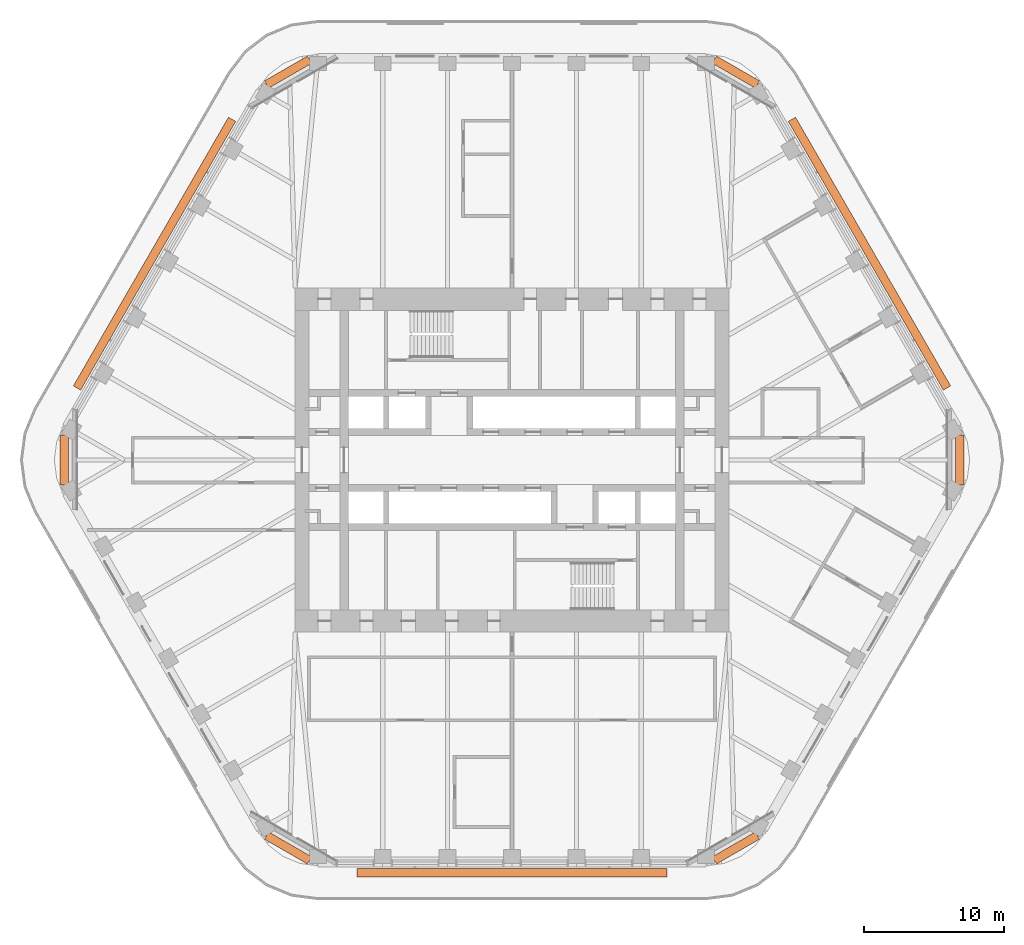
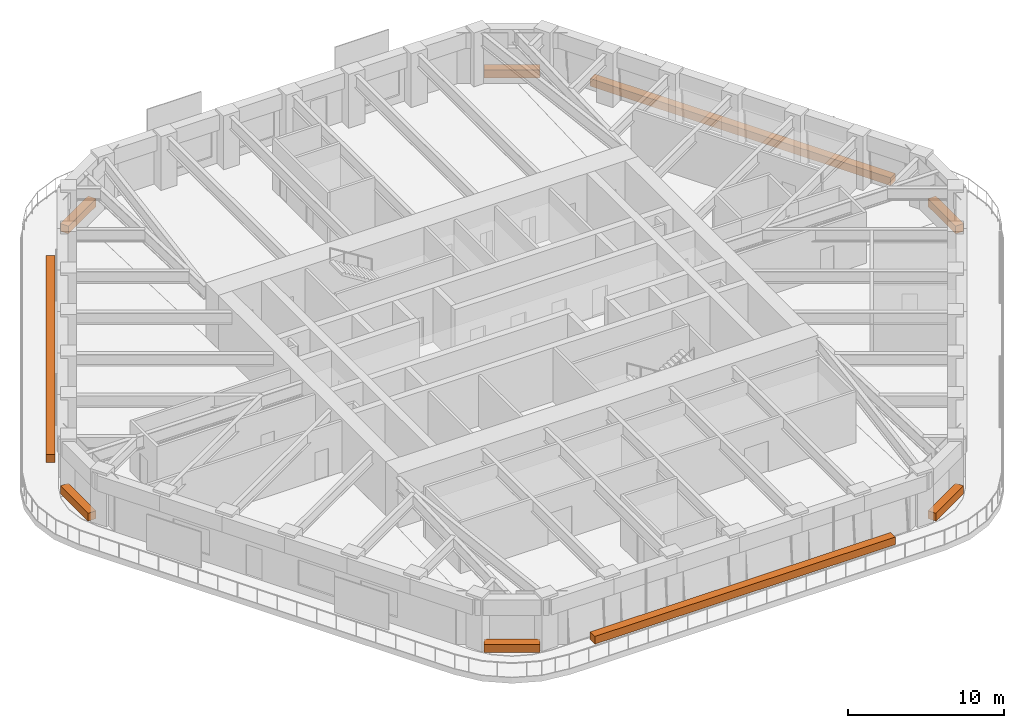
# One storey, part 20 of 20: 9 proxies.
"""IFC4 building model written with IfcOpenShell, lengths in metres."""

from ifc_helpers import new_model, si_unit, direction, frame, origin, origin_2d, place, context, subcontext, project, spatial, rectangle, extrude, material, element, save


model = new_model("IFC4")

# Units and contexts
model_context = context("Model", 3, precision=1e-05, world=origin(), true_north=direction((0.0, 1.0)))
body_context = subcontext(model_context, "Body", "Model", "MODEL_VIEW")
ifc_project = project(units=[si_unit("LENGTHUNIT", "METRE"), si_unit("AREAUNIT", "SQUARE_METRE"), si_unit("VOLUMEUNIT", "CUBIC_METRE"), si_unit("PLANEANGLEUNIT", "RADIAN"), si_unit("MASSUNIT", "GRAM", prefix="KILO")], contexts=[model_context])

# Site, building, storey
site_placement = place(None, origin())
site = spatial("IfcSite", under=ifc_project, at=site_placement, CompositionType="ELEMENT")
building_placement = place(site_placement, origin())
building = spatial("IfcBuilding", under=site, at=building_placement, Name="Tarfa Lantern Tower", CompositionType="ELEMENT")
storey_placement = place(building_placement, frame((0.0, 0.0, 265.89990234375)))
storey = spatial("IfcBuildingStorey", under=building, at=storey_placement, Name="L60", CompositionType="ELEMENT", Elevation=265.89990234375)

# Proxies
ifc_material = material(Name="Planting bed")
for number, where, z_axis, x_axis, name in (
    (1, (16.006591796875, 27.72412109375, 0.0400390625), (0.0, 0.0, 1.0), (-0.866025403784, 0.5, 0.0), "Sky garden planter"),
    (2, (-16.006591796875, 27.72412109375, 0.0400390625), (0.0, 0.0, 1.0), (-0.866025403784, -0.5, 0.0), "Sky garden planter"),
    (3, (-32.012939453125, 0.0, 0.0400390625), (0.0, 0.0, 1.0), (0.0, -1.0, 0.0), "Sky garden planter"),
    (4, (-16.006591796875, -27.72412109375, 0.0400390625), (0.0, 0.0, 1.0), (0.866025403784, -0.5, 0.0), "Sky garden planter"),
    (5, (16.006591796875, -27.72412109375, 0.0400390625), (0.0, 0.0, 1.0), (0.866025403784, 0.5, 0.0), "Sky garden planter"),
    (6, (32.012939453125, 0.0, 0.0400390625), (0.0, 0.0, 1.0), (0.0, 1.0, 0.0), "Sky garden planter"),
):
    element("IfcBuildingElementProxy", number, at=place(storey_placement, frame(where, z_axis=z_axis, x_axis=x_axis)), inside=storey, material=ifc_material, Name=name, ObjectType="PLANTER", PredefinedType="USERDEFINED", context=body_context, shape_type="SweptSolid", body=[
        extrude(rectangle(XDim=3.551025390625, YDim=0.60009765625, at=origin_2d()), origin(), (0.0, 0.0, 1.0), 0.60009765625),
    ])
for number, where, z_axis, x_axis, name in (
    (7, (25.5478515625, 14.75, 0.0), (0.0, 0.0, 1.0), (-0.5, 0.866025403784, 0.0), "Balcony planter"),
    (8, (-25.5478515625, 14.75, 0.0), (0.0, 0.0, 1.0), (-0.5, -0.866025403784, 0.0), "Balcony planter"),
    (9, (0.0, -29.5, 0.0), (0.0, 0.0, 1.0), (1.0, 0.0, 0.0), "Balcony planter"),
):
    element("IfcBuildingElementProxy", number, at=place(storey_placement, frame(where, z_axis=z_axis, x_axis=x_axis)), inside=storey, material=ifc_material, Name=name, ObjectType="PLANTER", PredefinedType="USERDEFINED", context=body_context, shape_type="SweptSolid", body=[
        extrude(rectangle(XDim=22.170166015625, YDim=0.60009765625, at=origin_2d()), origin(), (0.0, 0.0, 1.0), 0.60009765625),
    ])

save(model, "model.ifc")
